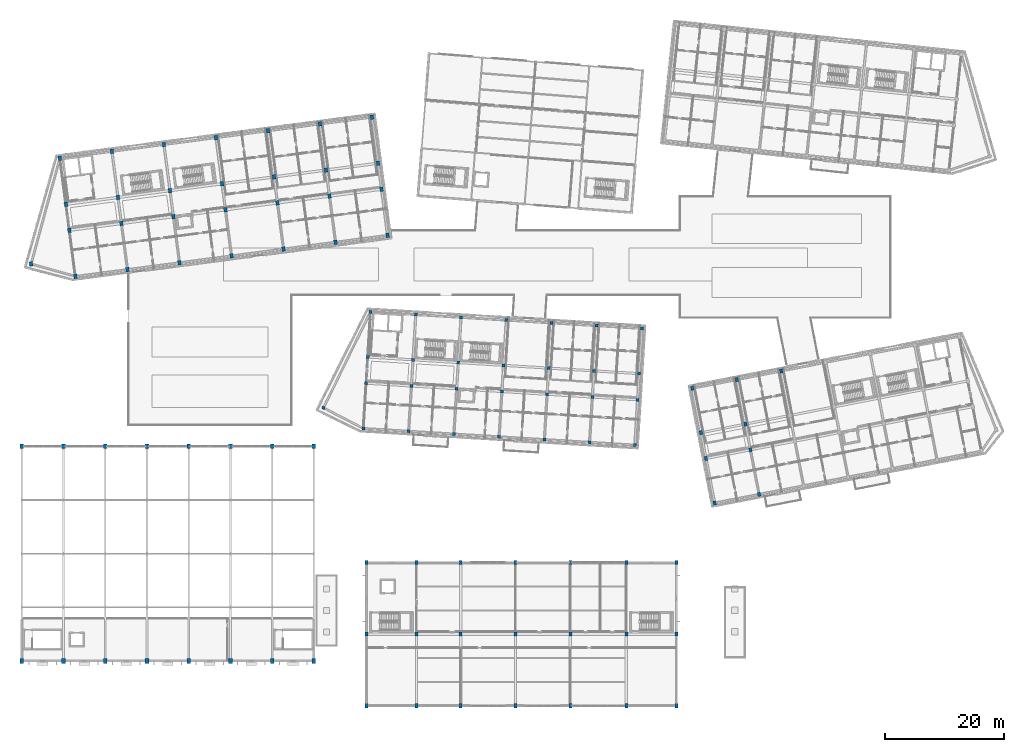
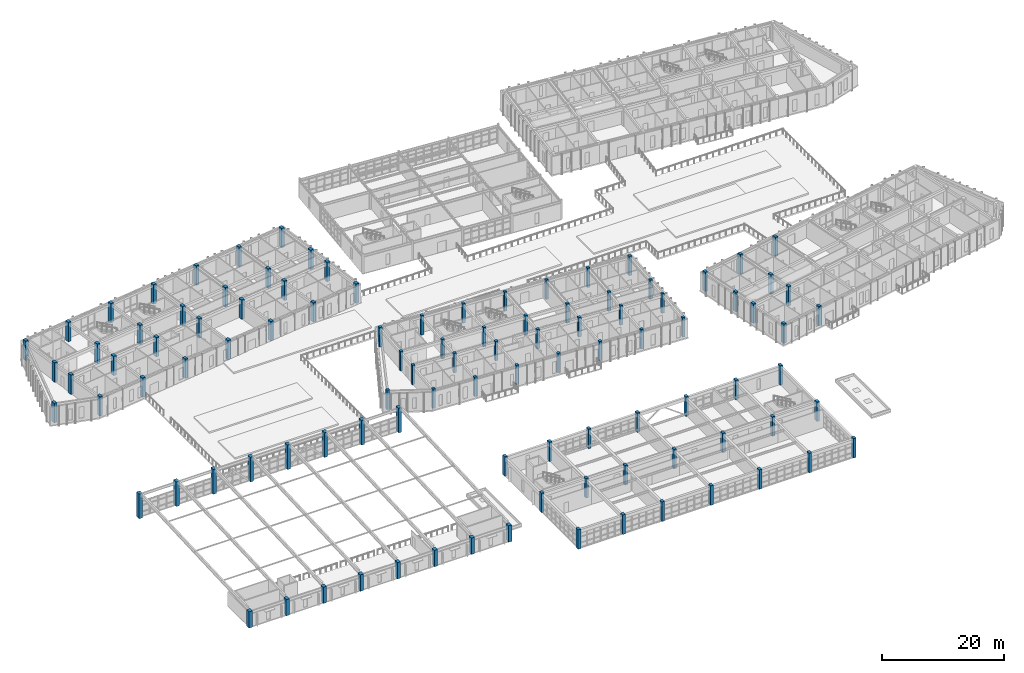
# One storey, part 1 of 150: 104 columns.
"""IFC4 building model written with IfcOpenShell, lengths in metres."""

from ifc_helpers import new_model, si_unit, direction, frame, origin, origin_2d, place, context, subcontext, project, spatial, rectangle, extrude, material, material_profile, profile_set, type_object, element, save


model = new_model("IFC4")

# Units and contexts
model_context = context("Model", 3, precision=1e-05, world=origin(), true_north=direction((0.0, 1.0)))
body_context = subcontext(model_context, "Body", "Model", "MODEL_VIEW")
ifc_project = project(units=[si_unit("LENGTHUNIT", "METRE"), si_unit("AREAUNIT", "SQUARE_METRE"), si_unit("VOLUMEUNIT", "CUBIC_METRE"), si_unit("PLANEANGLEUNIT", "RADIAN"), si_unit("MASSUNIT", "GRAM", prefix="KILO")], contexts=[model_context])

# Site, building, storey
site_placement = place(None, origin())
site = spatial("IfcSite", under=ifc_project, at=site_placement, CompositionType="ELEMENT")
building_placement = place(site_placement, origin())
building = spatial("IfcBuilding", under=site, at=building_placement, Name="Kestramere Prow Commons", CompositionType="ELEMENT")
storey_placement = place(building_placement, frame((0.0, 0.0, 4.5)))
storey = spatial("IfcBuildingStorey", under=building, at=storey_placement, Name="L01", CompositionType="ELEMENT", Elevation=4.5)

# Columns
ifc_material = material(Name="Precast concrete C40/50", Category="concrete")
ifc_material_profile_1 = material_profile(ifc_material, rectangle(XDim=0.550048828125, YDim=0.75, at=origin_2d()), Name="PC-COL 550x750")
ifc_profile_set_1 = profile_set([ifc_material_profile_1], Name="Precast concrete C40/50")
column_type_1 = type_object("IfcColumnType", Name="C-A2 PC-COL 550x750", PredefinedType="COLUMN", material=ifc_profile_set_1)
for number, where, z_axis, x_axis, name in (
    (1, (11.199951171875, 72.0, 0.0), (0.0, 0.0, 1.0), (0.991444861374, 0.13052619222, 0.0), "Block A L01 Column 1-1"),
    (2, (10.181884765625, 79.733154296875, 0.0), (0.0, 0.0, 1.0), (0.991444861374, 0.13052619222, 0.0), "Block A L01 Column 1-2"),
    (3, (9.607666015625, 84.095703125, 0.0), (0.0, 0.0, 1.0), (0.991444861374, 0.13052619222, 0.0), "Block A L01 Column 1-3"),
    (4, (8.58935546875, 91.828857421875, 0.0), (0.0, 0.0, 1.0), (0.991444861374, 0.13052619222, 0.0), "Block A L01 Column 1-4"),
    (5, (19.9248046875, 73.148681640625, 0.0), (0.0, 0.0, 1.0), (0.991444861374, 0.13052619222, 0.0), "Block A L01 Column 2-1"),
    (6, (18.906494140625, 80.8818359375, 0.0), (0.0, 0.0, 1.0), (0.991444861374, 0.13052619222, 0.0), "Block A L01 Column 2-2"),
    (7, (18.332275390625, 85.244140625, 0.0), (0.0, 0.0, 1.0), (0.991444861374, 0.13052619222, 0.0), "Block A L01 Column 2-3"),
    (8, (17.314208984375, 92.9775390625, 0.0), (0.0, 0.0, 1.0), (0.991444861374, 0.13052619222, 0.0), "Block A L01 Column 2-4"),
    (9, (28.6494140625, 74.29736328125, 0.0), (0.0, 0.0, 1.0), (0.991444861374, 0.13052619222, 0.0), "Block A L01 Column 3-1"),
    (10, (27.63134765625, 82.030517578125, 0.0), (0.0, 0.0, 1.0), (0.991444861374, 0.13052619222, 0.0), "Block A L01 Column 3-2"),
    (11, (27.05712890625, 86.392822265625, 0.0), (0.0, 0.0, 1.0), (0.991444861374, 0.13052619222, 0.0), "Block A L01 Column 3-3"),
    (12, (26.038818359375, 94.126220703125, 0.0), (0.0, 0.0, 1.0), (0.991444861374, 0.13052619222, 0.0), "Block A L01 Column 3-4"),
    (13, (37.3740234375, 75.44580078125, 0.0), (0.0, 0.0, 1.0), (0.991444861374, 0.13052619222, 0.0), "Block A L01 Column 4-1"),
    (14, (36.35595703125, 83.17919921875, 0.0), (0.0, 0.0, 1.0), (0.991444861374, 0.13052619222, 0.0), "Block A L01 Column 4-2"),
    (15, (35.78173828125, 87.54150390625, 0.0), (0.0, 0.0, 1.0), (0.991444861374, 0.13052619222, 0.0), "Block A L01 Column 4-3"),
    (16, (34.763671875, 95.27490234375, 0.0), (0.0, 0.0, 1.0), (0.991444861374, 0.13052619222, 0.0), "Block A L01 Column 4-4"),
    (17, (46.098876953125, 76.594482421875, 0.0), (0.0, 0.0, 1.0), (0.991444861374, 0.13052619222, 0.0), "Block A L01 Column 5-1"),
    (18, (45.080810546875, 84.327880859375, 0.0), (0.0, 0.0, 1.0), (0.991444861374, 0.13052619222, 0.0), "Block A L01 Column 5-2"),
    (19, (44.50634765625, 88.690185546875, 0.0), (0.0, 0.0, 1.0), (0.991444861374, 0.13052619222, 0.0), "Block A L01 Column 5-3"),
    (20, (43.48828125, 96.42333984375, 0.0), (0.0, 0.0, 1.0), (0.991444861374, 0.13052619222, 0.0), "Block A L01 Column 5-4"),
    (21, (54.823486328125, 77.7431640625, 0.0), (0.0, 0.0, 1.0), (0.991444861374, 0.13052619222, 0.0), "Block A L01 Column 6-1"),
    (22, (53.805419921875, 85.476318359375, 0.0), (0.0, 0.0, 1.0), (0.991444861374, 0.13052619222, 0.0), "Block A L01 Column 6-2"),
    (23, (53.231201171875, 89.8388671875, 0.0), (0.0, 0.0, 1.0), (0.991444861374, 0.13052619222, 0.0), "Block A L01 Column 6-3"),
    (24, (52.213134765625, 97.572021484375, 0.0), (0.0, 0.0, 1.0), (0.991444861374, 0.13052619222, 0.0), "Block A L01 Column 6-4"),
    (25, (63.54833984375, 78.891845703125, 0.0), (0.0, 0.0, 1.0), (0.991444861374, 0.13052619222, 0.0), "Block A L01 Column 7-1"),
    (26, (62.5302734375, 86.625, 0.0), (0.0, 0.0, 1.0), (0.991444861374, 0.13052619222, 0.0), "Block A L01 Column 7-2"),
    (27, (61.955810546875, 90.9873046875, 0.0), (0.0, 0.0, 1.0), (0.991444861374, 0.13052619222, 0.0), "Block A L01 Column 7-3"),
    (28, (60.937744140625, 98.720703125, 0.0), (0.0, 0.0, 1.0), (0.991444861374, 0.13052619222, 0.0), "Block A L01 Column 7-4"),
    (29, (3.7626953125, 74.09716796875, 0.0), (0.0, 0.0, 1.0), (0.991444861374, 0.13052619222, 0.0), "Block A L01 Prow Apex Column"),
):
    element("IfcColumn", number, at=place(storey_placement, frame(where, z_axis=z_axis, x_axis=x_axis)), inside=storey, type_object=column_type_1, Name=name, PredefinedType="COLUMN", context=body_context, shape_type="SweptSolid", body=[
        extrude(rectangle(XDim=0.550048828125, YDim=0.75, at=origin_2d()), origin(), (0.0, 0.0, 1.0), 3.89990234375),
    ])
ifc_material_profile_2 = material_profile(ifc_material, rectangle(XDim=0.5, YDim=0.5, at=origin_2d()), Name="PC-COL 500x500")
ifc_profile_set_2 = profile_set([ifc_material_profile_2], Name="Precast concrete C40/50")
column_type_2 = type_object("IfcColumnType", Name="C-C2 PC-COL 500x500", PredefinedType="COLUMN", material=ifc_profile_set_2)
for number, where, z_axis, x_axis, name in (
    (30, (59.5, 46.5, 0.0), (0.0, 0.0, 1.0), (0.998134798422, -0.061048539535, 0.0), "Block C L01 Column 1-1"),
    (31, (59.9638671875, 54.0859375, 0.0), (0.0, 0.0, 1.0), (0.998134798422, -0.061048539535, 0.0), "Block C L01 Column 1-2"),
    (32, (60.232666015625, 58.4775390625, 0.0), (0.0, 0.0, 1.0), (0.998134798422, -0.061048539535, 0.0), "Block C L01 Column 1-3"),
    (33, (60.696533203125, 66.0634765625, 0.0), (0.0, 0.0, 1.0), (0.998134798422, -0.061048539535, 0.0), "Block C L01 Column 1-4"),
    (34, (67.0859375, 46.0361328125, 0.0), (0.0, 0.0, 1.0), (0.998134798422, -0.061048539535, 0.0), "Block C L01 Column 2-1"),
    (35, (67.5498046875, 53.621826171875, 0.0), (0.0, 0.0, 1.0), (0.998134798422, -0.061048539535, 0.0), "Block C L01 Column 2-2"),
    (36, (67.818359375, 58.013671875, 0.0), (0.0, 0.0, 1.0), (0.998134798422, -0.061048539535, 0.0), "Block C L01 Column 2-3"),
    (37, (68.282470703125, 65.599365234375, 0.0), (0.0, 0.0, 1.0), (0.998134798422, -0.061048539535, 0.0), "Block C L01 Column 2-4"),
    (38, (74.671630859375, 45.572021484375, 0.0), (0.0, 0.0, 1.0), (0.998134798422, -0.061048539535, 0.0), "Block C L01 Column 3-1"),
    (39, (75.135498046875, 53.157958984375, 0.0), (0.0, 0.0, 1.0), (0.998134798422, -0.061048539535, 0.0), "Block C L01 Column 3-2"),
    (40, (75.404296875, 57.549560546875, 0.0), (0.0, 0.0, 1.0), (0.998134798422, -0.061048539535, 0.0), "Block C L01 Column 3-3"),
    (41, (75.8681640625, 65.135498046875, 0.0), (0.0, 0.0, 1.0), (0.998134798422, -0.061048539535, 0.0), "Block C L01 Column 3-4"),
    (42, (82.257568359375, 45.108154296875, 0.0), (0.0, 0.0, 1.0), (0.998134798422, -0.061048539535, 0.0), "Block C L01 Column 4-1"),
    (43, (82.721435546875, 52.69384765625, 0.0), (0.0, 0.0, 1.0), (0.998134798422, -0.061048539535, 0.0), "Block C L01 Column 4-2"),
    (44, (82.989990234375, 57.085693359375, 0.0), (0.0, 0.0, 1.0), (0.998134798422, -0.061048539535, 0.0), "Block C L01 Column 4-3"),
    (45, (83.4541015625, 64.671630859375, 0.0), (0.0, 0.0, 1.0), (0.998134798422, -0.061048539535, 0.0), "Block C L01 Column 4-4"),
    (46, (89.84326171875, 44.64404296875, 0.0), (0.0, 0.0, 1.0), (0.998134798422, -0.061048539535, 0.0), "Block C L01 Column 5-1"),
    (47, (90.307373046875, 52.22998046875, 0.0), (0.0, 0.0, 1.0), (0.998134798422, -0.061048539535, 0.0), "Block C L01 Column 5-2"),
    (48, (90.575927734375, 56.621826171875, 0.0), (0.0, 0.0, 1.0), (0.998134798422, -0.061048539535, 0.0), "Block C L01 Column 5-3"),
    (49, (91.039794921875, 64.20751953125, 0.0), (0.0, 0.0, 1.0), (0.998134798422, -0.061048539535, 0.0), "Block C L01 Column 5-4"),
    (50, (97.42919921875, 44.18017578125, 0.0), (0.0, 0.0, 1.0), (0.998134798422, -0.061048539535, 0.0), "Block C L01 Column 6-1"),
    (51, (97.89306640625, 51.765869140625, 0.0), (0.0, 0.0, 1.0), (0.998134798422, -0.061048539535, 0.0), "Block C L01 Column 6-2"),
    (52, (98.16162109375, 56.15771484375, 0.0), (0.0, 0.0, 1.0), (0.998134798422, -0.061048539535, 0.0), "Block C L01 Column 6-3"),
    (53, (98.625732421875, 63.74365234375, 0.0), (0.0, 0.0, 1.0), (0.998134798422, -0.061048539535, 0.0), "Block C L01 Column 6-4"),
    (54, (105.014892578125, 43.71630859375, 0.0), (0.0, 0.0, 1.0), (0.998134798422, -0.061048539535, 0.0), "Block C L01 Column 7-1"),
    (55, (105.47900390625, 51.302001953125, 0.0), (0.0, 0.0, 1.0), (0.998134798422, -0.061048539535, 0.0), "Block C L01 Column 7-2"),
    (56, (105.74755859375, 55.69384765625, 0.0), (0.0, 0.0, 1.0), (0.998134798422, -0.061048539535, 0.0), "Block C L01 Column 7-3"),
    (57, (106.21142578125, 63.279541015625, 0.0), (0.0, 0.0, 1.0), (0.998134798422, -0.061048539535, 0.0), "Block C L01 Column 7-4"),
    (58, (52.799072265625, 49.965576171875, 0.0), (0.0, 0.0, 1.0), (0.998134798422, -0.061048539535, 0.0), "Block C L01 Prow Apex Column"),
):
    element("IfcColumn", number, at=place(storey_placement, frame(where, z_axis=z_axis, x_axis=x_axis)), inside=storey, type_object=column_type_2, Name=name, PredefinedType="COLUMN", context=body_context, shape_type="SweptSolid", body=[
        extrude(rectangle(XDim=0.5, YDim=0.5, at=origin_2d()), origin(), (0.0, 0.0, 1.0), 3.89990234375),
    ])
ifc_material_profile_3 = material_profile(ifc_material, rectangle(XDim=0.5, YDim=0.699951171875, at=origin_2d()), Name="PC-COL 500x700")
ifc_profile_set_3 = profile_set([ifc_material_profile_3], Name="Precast concrete C40/50")
column_type_3 = type_object("IfcColumnType", Name="C-D2 PC-COL 500x700", PredefinedType="COLUMN", material=ifc_profile_set_3)
for number, where, z_axis, x_axis, name in (
    (59, (118.39990234375, 34.0, 0.0), (0.0, 0.0, 1.0), (0.981627183448, 0.190808995377, 0.0), "Block D L01 Column 1-1"),
    (60, (116.949951171875, 41.46044921875, 0.0), (0.0, 0.0, 1.0), (0.981627183448, 0.190808995377, 0.0), "Block D L01 Column 1-2"),
    (61, (116.1103515625, 45.779541015625, 0.0), (0.0, 0.0, 1.0), (0.981627183448, 0.190808995377, 0.0), "Block D L01 Column 1-3"),
    (62, (114.66015625, 53.239990234375, 0.0), (0.0, 0.0, 1.0), (0.981627183448, 0.190808995377, 0.0), "Block D L01 Column 1-4"),
    (63, (125.8603515625, 35.4501953125, 0.0), (0.0, 0.0, 1.0), (0.981627183448, 0.190808995377, 0.0), "Block D L01 Column 2-1"),
    (64, (124.41015625, 42.910400390625, 0.0), (0.0, 0.0, 1.0), (0.981627183448, 0.190808995377, 0.0), "Block D L01 Column 2-2"),
    (65, (123.570556640625, 47.229736328125, 0.0), (0.0, 0.0, 1.0), (0.981627183448, 0.190808995377, 0.0), "Block D L01 Column 2-3"),
    (66, (122.12060546875, 54.68994140625, 0.0), (0.0, 0.0, 1.0), (0.981627183448, 0.190808995377, 0.0), "Block D L01 Column 2-4"),
    (67, (129.580810546875, 56.14013671875, 0.0), (0.0, 0.0, 1.0), (0.981627183448, 0.190808995377, 0.0), "Block D L01 Column 3-4"),
):
    element("IfcColumn", number, at=place(storey_placement, frame(where, z_axis=z_axis, x_axis=x_axis)), inside=storey, type_object=column_type_3, Name=name, PredefinedType="COLUMN", context=body_context, shape_type="SweptSolid", body=[
        extrude(rectangle(XDim=0.5, YDim=0.699951171875, at=origin_2d()), origin(), (0.0, 0.0, 1.0), 3.89990234375),
    ])
ifc_material_profile_4 = material_profile(ifc_material, rectangle(XDim=0.60009765625, YDim=0.800048828125, at=origin_2d()), Name="PC-COL 600x800")
ifc_profile_set_4 = profile_set([ifc_material_profile_4], Name="Precast concrete C40/50")
column_type_4 = type_object("IfcColumnType", Name="C-HL1 PC-COL 600x800", PredefinedType="COLUMN", material=ifc_profile_set_4)
column_1_placement = place(storey_placement, frame((2.199951171875, 7.5, 0.0), z_axis=(0.0, 0.0, 1.0), x_axis=(1.0, 0.0, 0.0)))
element("IfcColumn", 68, at=column_1_placement, inside=storey, type_object=column_type_4, Name="Community Hall L01 Perimeter Column 1-0", PredefinedType="COLUMN", context=body_context, shape_type="SweptSolid", body=[
    extrude(rectangle(XDim=0.60009765625, YDim=0.800048828125, at=origin_2d()), origin(), (0.0, 0.0, 1.0), 3.266357421875),
])
column_2_placement = place(storey_placement, frame((2.199951171875, 43.5, 0.0), z_axis=(0.0, 0.0, 1.0), x_axis=(1.0, 0.0, 0.0)))
element("IfcColumn", 69, at=column_2_placement, inside=storey, type_object=column_type_4, Name="Community Hall L01 Perimeter Column 1-36", PredefinedType="COLUMN", context=body_context, shape_type="SweptSolid", body=[
    extrude(rectangle(XDim=0.60009765625, YDim=0.800048828125, at=origin_2d()), origin(), (0.0, 0.0, 1.0), 4.91650390625),
])
column_3_placement = place(storey_placement, frame((9.199951171875, 7.5, 0.0), z_axis=(0.0, 0.0, 1.0), x_axis=(1.0, 0.0, 0.0)))
element("IfcColumn", 70, at=column_3_placement, inside=storey, type_object=column_type_4, Name="Community Hall L01 Perimeter Column 2-0", PredefinedType="COLUMN", context=body_context, shape_type="SweptSolid", body=[
    extrude(rectangle(XDim=0.60009765625, YDim=0.800048828125, at=origin_2d()), origin(), (0.0, 0.0, 1.0), 3.266357421875),
])
column_4_placement = place(storey_placement, frame((9.199951171875, 43.5, 0.0), z_axis=(0.0, 0.0, 1.0), x_axis=(1.0, 0.0, 0.0)))
element("IfcColumn", 71, at=column_4_placement, inside=storey, type_object=column_type_4, Name="Community Hall L01 Perimeter Column 2-36", PredefinedType="COLUMN", context=body_context, shape_type="SweptSolid", body=[
    extrude(rectangle(XDim=0.60009765625, YDim=0.800048828125, at=origin_2d()), origin(), (0.0, 0.0, 1.0), 4.91650390625),
])
column_5_placement = place(storey_placement, frame((16.199951171875, 7.5, 0.0), z_axis=(0.0, 0.0, 1.0), x_axis=(1.0, 0.0, 0.0)))
element("IfcColumn", 72, at=column_5_placement, inside=storey, type_object=column_type_4, Name="Community Hall L01 Perimeter Column 3-0", PredefinedType="COLUMN", context=body_context, shape_type="SweptSolid", body=[
    extrude(rectangle(XDim=0.60009765625, YDim=0.800048828125, at=origin_2d()), origin(), (0.0, 0.0, 1.0), 3.266357421875),
])
column_6_placement = place(storey_placement, frame((16.199951171875, 43.5, 0.0), z_axis=(0.0, 0.0, 1.0), x_axis=(1.0, 0.0, 0.0)))
element("IfcColumn", 73, at=column_6_placement, inside=storey, type_object=column_type_4, Name="Community Hall L01 Perimeter Column 3-36", PredefinedType="COLUMN", context=body_context, shape_type="SweptSolid", body=[
    extrude(rectangle(XDim=0.60009765625, YDim=0.800048828125, at=origin_2d()), origin(), (0.0, 0.0, 1.0), 4.91650390625),
])
column_7_placement = place(storey_placement, frame((23.199951171875, 7.5, 0.0), z_axis=(0.0, 0.0, 1.0), x_axis=(1.0, 0.0, 0.0)))
element("IfcColumn", 74, at=column_7_placement, inside=storey, type_object=column_type_4, Name="Community Hall L01 Perimeter Column 4-0", PredefinedType="COLUMN", context=body_context, shape_type="SweptSolid", body=[
    extrude(rectangle(XDim=0.60009765625, YDim=0.800048828125, at=origin_2d()), origin(), (0.0, 0.0, 1.0), 3.266357421875),
])
column_8_placement = place(storey_placement, frame((23.199951171875, 43.5, 0.0), z_axis=(0.0, 0.0, 1.0), x_axis=(1.0, 0.0, 0.0)))
element("IfcColumn", 75, at=column_8_placement, inside=storey, type_object=column_type_4, Name="Community Hall L01 Perimeter Column 4-36", PredefinedType="COLUMN", context=body_context, shape_type="SweptSolid", body=[
    extrude(rectangle(XDim=0.60009765625, YDim=0.800048828125, at=origin_2d()), origin(), (0.0, 0.0, 1.0), 4.91650390625),
])
column_9_placement = place(storey_placement, frame((30.199951171875, 7.5, 0.0), z_axis=(0.0, 0.0, 1.0), x_axis=(1.0, 0.0, 0.0)))
element("IfcColumn", 76, at=column_9_placement, inside=storey, type_object=column_type_4, Name="Community Hall L01 Perimeter Column 5-0", PredefinedType="COLUMN", context=body_context, shape_type="SweptSolid", body=[
    extrude(rectangle(XDim=0.60009765625, YDim=0.800048828125, at=origin_2d()), origin(), (0.0, 0.0, 1.0), 3.266357421875),
])
column_10_placement = place(storey_placement, frame((30.199951171875, 43.5, 0.0), z_axis=(0.0, 0.0, 1.0), x_axis=(1.0, 0.0, 0.0)))
element("IfcColumn", 77, at=column_10_placement, inside=storey, type_object=column_type_4, Name="Community Hall L01 Perimeter Column 5-36", PredefinedType="COLUMN", context=body_context, shape_type="SweptSolid", body=[
    extrude(rectangle(XDim=0.60009765625, YDim=0.800048828125, at=origin_2d()), origin(), (0.0, 0.0, 1.0), 4.91650390625),
])
column_11_placement = place(storey_placement, frame((37.199951171875, 7.5, 0.0), z_axis=(0.0, 0.0, 1.0), x_axis=(1.0, 0.0, 0.0)))
element("IfcColumn", 78, at=column_11_placement, inside=storey, type_object=column_type_4, Name="Community Hall L01 Perimeter Column 6-0", PredefinedType="COLUMN", context=body_context, shape_type="SweptSolid", body=[
    extrude(rectangle(XDim=0.60009765625, YDim=0.800048828125, at=origin_2d()), origin(), (0.0, 0.0, 1.0), 3.266357421875),
])
column_12_placement = place(storey_placement, frame((37.199951171875, 43.5, 0.0), z_axis=(0.0, 0.0, 1.0), x_axis=(1.0, 0.0, 0.0)))
element("IfcColumn", 79, at=column_12_placement, inside=storey, type_object=column_type_4, Name="Community Hall L01 Perimeter Column 6-36", PredefinedType="COLUMN", context=body_context, shape_type="SweptSolid", body=[
    extrude(rectangle(XDim=0.60009765625, YDim=0.800048828125, at=origin_2d()), origin(), (0.0, 0.0, 1.0), 4.91650390625),
])
column_13_placement = place(storey_placement, frame((44.199951171875, 7.5, 0.0), z_axis=(0.0, 0.0, 1.0), x_axis=(1.0, 0.0, 0.0)))
element("IfcColumn", 80, at=column_13_placement, inside=storey, type_object=column_type_4, Name="Community Hall L01 Perimeter Column 7-0", PredefinedType="COLUMN", context=body_context, shape_type="SweptSolid", body=[
    extrude(rectangle(XDim=0.60009765625, YDim=0.800048828125, at=origin_2d()), origin(), (0.0, 0.0, 1.0), 3.266357421875),
])
column_14_placement = place(storey_placement, frame((44.199951171875, 43.5, 0.0), z_axis=(0.0, 0.0, 1.0), x_axis=(1.0, 0.0, 0.0)))
element("IfcColumn", 81, at=column_14_placement, inside=storey, type_object=column_type_4, Name="Community Hall L01 Perimeter Column 7-36", PredefinedType="COLUMN", context=body_context, shape_type="SweptSolid", body=[
    extrude(rectangle(XDim=0.60009765625, YDim=0.800048828125, at=origin_2d()), origin(), (0.0, 0.0, 1.0), 4.91650390625),
])
column_15_placement = place(storey_placement, frame((51.199951171875, 7.5, 0.0), z_axis=(0.0, 0.0, 1.0), x_axis=(1.0, 0.0, 0.0)))
element("IfcColumn", 82, at=column_15_placement, inside=storey, type_object=column_type_4, Name="Community Hall L01 Perimeter Column 8-0", PredefinedType="COLUMN", context=body_context, shape_type="SweptSolid", body=[
    extrude(rectangle(XDim=0.60009765625, YDim=0.800048828125, at=origin_2d()), origin(), (0.0, 0.0, 1.0), 3.266357421875),
])
column_16_placement = place(storey_placement, frame((51.199951171875, 43.5, 0.0), z_axis=(0.0, 0.0, 1.0), x_axis=(1.0, 0.0, 0.0)))
element("IfcColumn", 83, at=column_16_placement, inside=storey, type_object=column_type_4, Name="Community Hall L01 Perimeter Column 8-36", PredefinedType="COLUMN", context=body_context, shape_type="SweptSolid", body=[
    extrude(rectangle(XDim=0.60009765625, YDim=0.800048828125, at=origin_2d()), origin(), (0.0, 0.0, 1.0), 4.91650390625),
])
ifc_material_profile_5 = material_profile(ifc_material, rectangle(XDim=0.5, YDim=0.699951171875, at=origin_2d()), Name="PC-COL 500x700")
ifc_profile_set_5 = profile_set([ifc_material_profile_5], Name="Precast concrete C40/50")
column_type_5 = type_object("IfcColumnType", Name="C-MK-01 PC-COL 500x700", PredefinedType="COLUMN", material=ifc_profile_set_5)
for number, where, z_axis, x_axis, name in (
    (84, (60.0, 0.0, 0.0), (0.0, 0.0, 1.0), (1.0, 0.0, 0.0), "Market Spine L01 Column 1-1"),
    (85, (60.0, 12.0, 0.0), (0.0, 0.0, 1.0), (1.0, 0.0, 0.0), "Market Spine L01 Column 1-2"),
    (86, (60.0, 24.0, 0.0), (0.0, 0.0, 1.0), (1.0, 0.0, 0.0), "Market Spine L01 Column 1-3"),
    (87, (68.39990234375, 0.0, 0.0), (0.0, 0.0, 1.0), (1.0, 0.0, 0.0), "Market Spine L01 Column 2-1"),
    (88, (68.39990234375, 24.0, 0.0), (0.0, 0.0, 1.0), (1.0, 0.0, 0.0), "Market Spine L01 Column 2-3"),
    (89, (75.800048828125, 0.0, 0.0), (0.0, 0.0, 1.0), (1.0, 0.0, 0.0), "Market Spine L01 Column 3-1"),
    (90, (75.800048828125, 24.0, 0.0), (0.0, 0.0, 1.0), (1.0, 0.0, 0.0), "Market Spine L01 Column 3-3"),
    (91, (85.0, 0.0, 0.0), (0.0, 0.0, 1.0), (1.0, 0.0, 0.0), "Market Spine L01 Column 4-1"),
    (92, (85.0, 24.0, 0.0), (0.0, 0.0, 1.0), (1.0, 0.0, 0.0), "Market Spine L01 Column 4-3"),
    (93, (94.199951171875, 0.0, 0.0), (0.0, 0.0, 1.0), (1.0, 0.0, 0.0), "Market Spine L01 Column 5-1"),
    (94, (94.199951171875, 24.0, 0.0), (0.0, 0.0, 1.0), (1.0, 0.0, 0.0), "Market Spine L01 Column 5-3"),
    (95, (103.60009765625, 0.0, 0.0), (0.0, 0.0, 1.0), (1.0, 0.0, 0.0), "Market Spine L01 Column 6-1"),
    (96, (103.60009765625, 24.0, 0.0), (0.0, 0.0, 1.0), (1.0, 0.0, 0.0), "Market Spine L01 Column 6-3"),
    (97, (112.0, 0.0, 0.0), (0.0, 0.0, 1.0), (1.0, 0.0, 0.0), "Market Spine L01 Column 7-1"),
    (98, (112.0, 12.0, 0.0), (0.0, 0.0, 1.0), (1.0, 0.0, 0.0), "Market Spine L01 Column 7-2"),
    (99, (112.0, 24.0, 0.0), (0.0, 0.0, 1.0), (1.0, 0.0, 0.0), "Market Spine L01 Column 7-3"),
):
    element("IfcColumn", number, at=place(storey_placement, frame(where, z_axis=z_axis, x_axis=x_axis)), inside=storey, type_object=column_type_5, Name=name, PredefinedType="COLUMN", context=body_context, shape_type="SweptSolid", body=[
        extrude(rectangle(XDim=0.5, YDim=0.699951171875, at=origin_2d()), origin(), (0.0, 0.0, 1.0), 3.89990234375),
    ])
ifc_material_profile_6 = material_profile(ifc_material, rectangle(XDim=0.5, YDim=0.699951171875, at=origin_2d()), Name="PC-COL 500x700")
ifc_profile_set_6 = profile_set([ifc_material_profile_6], Name="Precast concrete C40/50")
column_type_6 = type_object("IfcColumnType", Name="C-MK-01 PC-COL 500x700 (IN)", PredefinedType="COLUMN", material=ifc_profile_set_6)
for number, where, z_axis, x_axis, name in (
    (100, (68.39990234375, 12.0, 0.0), (0.0, 0.0, 1.0), (1.0, 0.0, 0.0), "Market Spine L01 Column 2-2"),
    (101, (75.800048828125, 12.0, 0.0), (0.0, 0.0, 1.0), (1.0, 0.0, 0.0), "Market Spine L01 Column 3-2"),
    (102, (85.0, 12.0, 0.0), (0.0, 0.0, 1.0), (1.0, 0.0, 0.0), "Market Spine L01 Column 4-2"),
    (103, (94.199951171875, 12.0, 0.0), (0.0, 0.0, 1.0), (1.0, 0.0, 0.0), "Market Spine L01 Column 5-2"),
    (104, (103.60009765625, 12.0, 0.0), (0.0, 0.0, 1.0), (1.0, 0.0, 0.0), "Market Spine L01 Column 6-2"),
):
    element("IfcColumn", number, at=place(storey_placement, frame(where, z_axis=z_axis, x_axis=x_axis)), inside=storey, type_object=column_type_6, Name=name, PredefinedType="COLUMN", context=body_context, shape_type="SweptSolid", body=[
        extrude(rectangle(XDim=0.5, YDim=0.699951171875, at=origin_2d()), origin(), (0.0, 0.0, 1.0), 3.89990234375),
    ])

save(model, "model.ifc")
